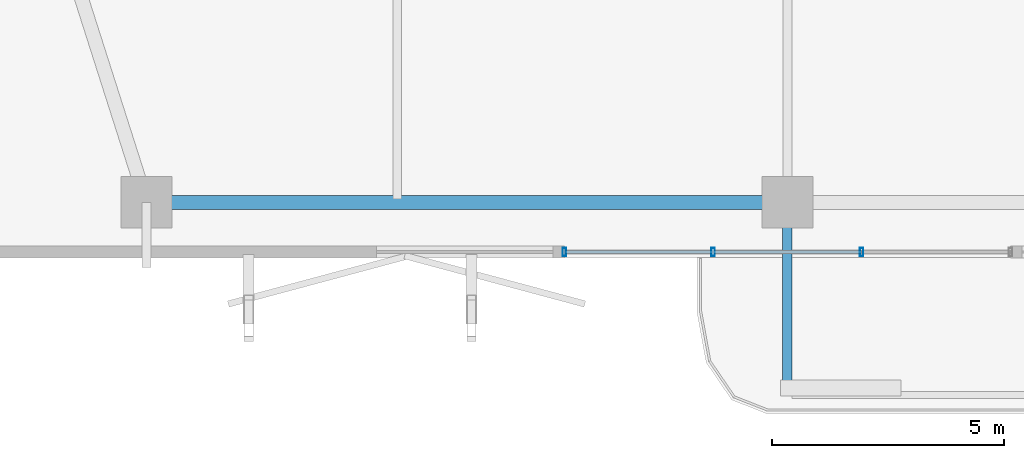
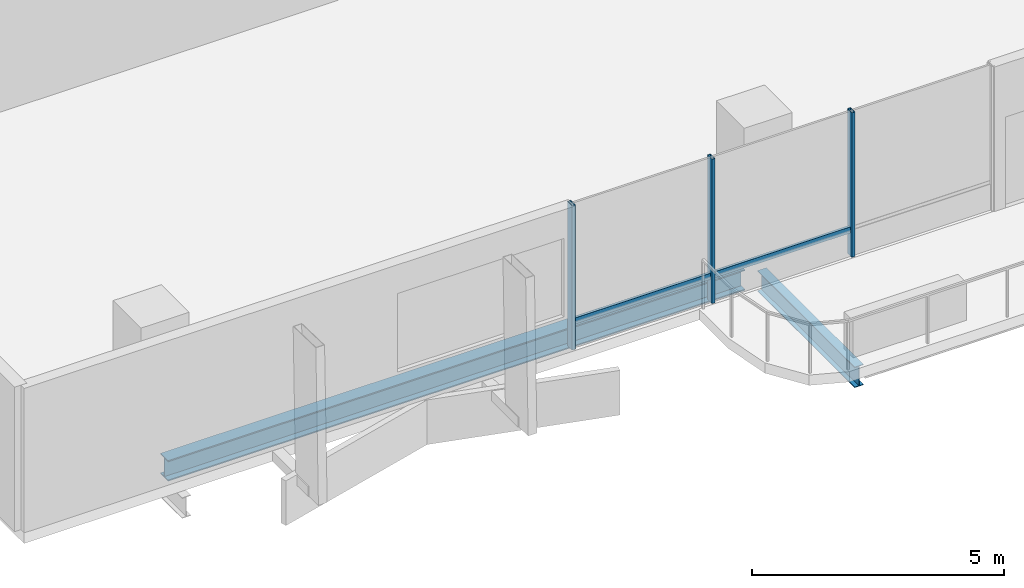
# One storey, part 2 of 23: 5 members, 2 beams, 1 element without a shape of its own.
"""IFC4 building model written with IfcOpenShell, lengths in metres."""

import ifcopenshell
import ifcopenshell.guid

model = None  # the IFC model being written
_history = None  # IfcOwnerHistory: only IFC2X3 demands one
_inside = {}  # id of a spatial element -> (the spatial element, [elements in it])
_under = {}  # id of a project, library or spatial element -> (it, [spatial elements below it])
_declared = {}  # id of a project -> (the project, [libraries it declares])
_typed = {}  # id of a type object -> (the type object, [elements of that type])
_made_of = {}  # id of a material, layer set ... -> (it, [elements and type objects made of it])


def new_model(schema):
    """Start an empty IFC model of exactly this schema.

    Asked for "IFC4X3", IfcOpenShell would pick the latest addendum, in which some entities
    have other attributes; the version numbers below select the first issue.
    IFC2X3 requires an IfcOwnerHistory on every rooted entity: one is made here for all.
    """
    global model, _history
    if schema == "IFC4X3":
        model = ifcopenshell.file(schema_version=(4, 3, 0, 0))
    else:
        model = ifcopenshell.file(schema=schema)
    _inside.clear()
    _under.clear()
    _declared.clear()
    _typed.clear()
    _made_of.clear()
    _history = None
    if model.schema == "IFC2X3":
        org = make("IfcOrganization", Name="unknown")
        user = make(
            "IfcPersonAndOrganization",
            ThePerson=make("IfcPerson", FamilyName="unknown"),
            TheOrganization=org,
        )
        app = make(
            "IfcApplication",
            ApplicationDeveloper=org,
            Version="unknown",
            ApplicationFullName="unknown",
            ApplicationIdentifier="unknown",
        )
        _history = make(
            "IfcOwnerHistory",
            OwningUser=user,
            OwningApplication=app,
            ChangeAction="ADDED",
            CreationDate=0,
        )
    return model


def make(cls, **values):
    """One entity of the class cls with the attributes given. An attribute that is None is left unset."""
    return model.create_entity(
        cls, **{name: value for name, value in values.items() if value is not None}
    )


def rooted(cls, **values):
    """An entity with a GlobalId (a new one), such as an element, a storey or a relation."""
    return make(cls, GlobalId=ifcopenshell.guid.new(), OwnerHistory=_history, **values)


def si_unit(unit_type, name, prefix=None):
    """IfcSIUnit, for example si_unit("LENGTHUNIT", "METRE", prefix="MILLI")."""
    return make("IfcSIUnit", UnitType=unit_type, Prefix=prefix, Name=name)


def assignment(units):
    """IfcUnitAssignment: the units of a project."""
    return None if units is None else make("IfcUnitAssignment", Units=units)


def point(xyz):
    """IfcCartesianPoint."""
    return None if xyz is None else make("IfcCartesianPoint", Coordinates=xyz)


def direction(xyz):
    """IfcDirection."""
    return None if xyz is None else make("IfcDirection", DirectionRatios=xyz)


def frame(location, z_axis=None, x_axis=None):
    """IfcAxis2Placement3D, a coordinate frame: its origin and axes. An axis left out is left unset."""
    return make(
        "IfcAxis2Placement3D",
        Location=point(location),
        Axis=direction(z_axis),
        RefDirection=direction(x_axis),
    )


def frame_2d(location, x_axis=None):
    """IfcAxis2Placement2D, a coordinate frame in the plane: its origin and x axis."""
    return make(
        "IfcAxis2Placement2D", Location=point(location), RefDirection=direction(x_axis)
    )


def origin():
    """The frame at (0, 0, 0) with its axes left unset."""
    return frame((0.0, 0.0, 0.0))


def origin_2d():
    """The frame at (0, 0) in the plane with its x axis left unset."""
    return frame_2d((0.0, 0.0))


def place(relative_to, where):
    """IfcLocalPlacement: puts the frame where relative to a parent placement (None: the world)."""
    return make(
        "IfcLocalPlacement", PlacementRelTo=relative_to, RelativePlacement=where
    )


def context(
    kind, dimensions, precision=None, world=None, true_north=None, identifier=None
):
    """IfcGeometricRepresentationContext, for example the 3D "Model" context."""
    return make(
        "IfcGeometricRepresentationContext",
        ContextIdentifier=identifier,
        ContextType=kind,
        CoordinateSpaceDimension=dimensions,
        Precision=precision,
        WorldCoordinateSystem=world,
        TrueNorth=true_north,
    )


def subcontext(parent, identifier, kind, view, scale=None):
    """IfcGeometricRepresentationSubContext, for example "Body" below "Model"."""
    return make(
        "IfcGeometricRepresentationSubContext",
        ContextIdentifier=identifier,
        ContextType=kind,
        ParentContext=parent,
        TargetScale=scale,
        TargetView=view,
    )


def project(units=None, contexts=None):
    """IfcProject with its units and contexts."""
    return rooted(
        "IfcProject",
        Name="project",
        RepresentationContexts=contexts,
        UnitsInContext=assignment(units),
    )


def spatial(cls, under=None, at=None, **own):
    """A site, building, storey or space (cls), placed at a placement, below another one or the project."""
    s = rooted(cls, ObjectPlacement=at, **own)
    if under is not None:
        _under.setdefault(under.id(), (under, []))[1].append(s)
    return s


def profile(cls, at=None, kind="AREA", **sizes):
    """A parametric profile (cls). Its sizes go by their IFC names, for example OverallWidth=200.0."""
    return make(cls, ProfileType=kind, Position=at, **sizes)


def hollow_rectangle(**sizes):
    """IfcRectangleHollowProfileDef."""
    return profile("IfcRectangleHollowProfileDef", **sizes)


def i_section(**sizes):
    """IfcIShapeProfileDef."""
    return profile("IfcIShapeProfileDef", **sizes)


def extrude(swept, where, along, depth):
    """IfcExtrudedAreaSolid: the profile swept, set in the frame where, extruded along a direction by depth."""
    return make(
        "IfcExtrudedAreaSolid",
        SweptArea=swept,
        Position=where,
        ExtrudedDirection=direction(along),
        Depth=depth,
    )


def shape(context_of_items, identifier, shape_type, items):
    """IfcShapeRepresentation: the items that make up one representation, for example the "Body"."""
    return make(
        "IfcShapeRepresentation",
        ContextOfItems=context_of_items,
        RepresentationIdentifier=identifier,
        RepresentationType=shape_type,
        Items=items,
    )


def material(Name=None, Category=None):
    """IfcMaterial."""
    return make("IfcMaterial", Name=Name, Category=Category)


def layer(
    of_material, thickness, ventilated=None, Name=None, Category=None, Priority=None
):
    """IfcMaterialLayer: one layer of a wall or slab, of a material (None: an air gap)."""
    return make(
        "IfcMaterialLayer",
        Material=of_material,
        LayerThickness=thickness,
        IsVentilated=ventilated,
        Name=Name,
        Category=Category,
        Priority=Priority,
    )


def layer_set(layers, Name=None):
    """IfcMaterialLayerSet."""
    return make("IfcMaterialLayerSet", MaterialLayers=layers, LayerSetName=Name)


def material_profile(
    of_material, cross_section, Name=None, Category=None, Priority=None
):
    """IfcMaterialProfile: a cross section and its material."""
    return make(
        "IfcMaterialProfile",
        Name=Name,
        Material=of_material,
        Profile=cross_section,
        Priority=Priority,
        Category=Category,
    )


def profile_set(profiles, Name=None, composite=None):
    """IfcMaterialProfileSet."""
    return make(
        "IfcMaterialProfileSet",
        Name=Name,
        MaterialProfiles=profiles,
        CompositeProfile=composite,
    )


def made_of(thing, what):
    """Note that an element or type object is made of a material, layer set ...; save() writes the relation."""
    if what is not None:
        _made_of.setdefault(what.id(), (what, []))[1].append(thing)
    return thing


def type_object(cls, material=None, **own):
    """A type object (cls), such as IfcWallType, which elements share."""
    return made_of(rooted(cls, **own), material)


def element(
    cls,
    number,
    at=None,
    inside=None,
    cuts=None,
    type_object=None,
    material=None,
    context=None,
    identifier="Body",
    shape_type=None,
    held_by="IfcProductDefinitionShape",
    body=None,
    shapes=None,
    **own,
):
    """One element of the class cls, such as IfcWall. Its Tag is "e" and its number.

    at: its placement. inside: the storey or other place that contains it. cuts: it is an
    opening in that element (IfcRelVoidsElement). A single representation is given by context,
    identifier, shape_type and body (its items); several are given by shapes. held_by: the class
    of the entity that holds the representations. save() writes the other relations.
    """
    e = rooted(cls, Tag="e%d" % number, ObjectPlacement=at, **own)
    if body is not None:
        shapes = [shape(context, identifier, shape_type, body)]
    if shapes is not None:
        e.Representation = make(held_by, Representations=shapes)
    if inside is not None:
        _inside.setdefault(inside.id(), (inside, []))[1].append(e)
    if cuts is not None:
        rooted(
            "IfcRelVoidsElement", RelatingBuildingElement=cuts, RelatedOpeningElement=e
        )
    if type_object is not None:
        _typed.setdefault(type_object.id(), (type_object, []))[1].append(e)
    return made_of(e, material)


def aggregate(whole, parts):
    """IfcRelAggregates: a whole, such as a stair, and the parts it consists of."""
    return rooted("IfcRelAggregates", RelatingObject=whole, RelatedObjects=parts)


def save(model, path):
    """Write the relations noted so far, then the file.

    IfcRelAggregates (storeys below a building ...), IfcRelContainedInSpatialStructure (elements
    in a storey), IfcRelDefinesByType, IfcRelAssociatesMaterial and IfcRelDeclares: one each for
    every whole, place, type object, material and project.
    """
    for whole, parts in _under.values():
        aggregate(whole, parts)
    for where, things in _inside.values():
        rooted(
            "IfcRelContainedInSpatialStructure",
            RelatedElements=things,
            RelatingStructure=where,
        )
    for kind, things in _typed.values():
        rooted("IfcRelDefinesByType", RelatedObjects=things, RelatingType=kind)
    for what, things in _made_of.values():
        rooted("IfcRelAssociatesMaterial", RelatedObjects=things, RelatingMaterial=what)
    for by, libraries in _declared.values():
        rooted("IfcRelDeclares", RelatingContext=by, RelatedDefinitions=libraries)
    model.write(path)


model = new_model("IFC4")

# Units and contexts
model_context = context("Model", 3, precision=1e-05, world=origin(), true_north=direction((0.0, 1.0)))
body_context = subcontext(model_context, "Body", "Model", "MODEL_VIEW")
ifc_project = project(units=[si_unit("LENGTHUNIT", "METRE"), si_unit("AREAUNIT", "SQUARE_METRE"), si_unit("VOLUMEUNIT", "CUBIC_METRE"), si_unit("PLANEANGLEUNIT", "RADIAN"), si_unit("MASSUNIT", "GRAM", prefix="KILO")], contexts=[model_context])

# Site, building, storey
site_placement = place(None, origin())
site = spatial("IfcSite", under=ifc_project, at=site_placement, CompositionType="ELEMENT")
building_placement = place(site_placement, origin())
building = spatial("IfcBuilding", under=site, at=building_placement, Name="Belovzor Exchange Tower", CompositionType="ELEMENT")
storey_placement = place(building_placement, frame((0.0, 0.0, 157.050048828125)))
storey = spatial("IfcBuildingStorey", under=building, at=storey_placement, Name="L38", CompositionType="ELEMENT", Elevation=157.050048828125)

# Beam
ifc_material_1 = material(Name="Steel S355", Category="steel")
ifc_material_profile_1 = material_profile(ifc_material_1, i_section(OverallWidth=0.199951171875, OverallDepth=0.5, WebThickness=0.01025390625, FlangeThickness=0.01611328125, at=origin_2d()))
ifc_profile_set_1 = profile_set([ifc_material_profile_1], Name="Steel S355")
beam_type_1 = type_object("IfcBeamType", Name="Planted Balcony Cantilever Beam IPE 500", PredefinedType="BEAM", material=ifc_profile_set_1)
beam_1_placement = place(storey_placement, frame((28.800048828125, 5.39697265625, -0.505126953125), z_axis=(0.0, -1.0, 0.0), x_axis=(1.0, 0.0, 0.0)))
element("IfcBeam", 1, at=beam_1_placement, inside=storey, type_object=beam_type_1, Name="BC-500 Planted Balcony Cantilever Beam IPE 500", PredefinedType="BEAM", context=body_context, shape_type="SweptSolid", body=[
    extrude(i_section(OverallWidth=0.199951171875, OverallDepth=0.5, WebThickness=0.01025390625, FlangeThickness=0.01611328125, at=origin_2d()), origin(), (0.0, 0.0, 1.0), 3.849853515625),
])

# Curtain wall, members
ifc_material_2 = material(Name="Anodised Aluminium Framing", Category="aluminium")
ifc_layer = layer(ifc_material_2, 0.179931640625)
ifc_layer_set = layer_set([ifc_layer], Name="Anodised Aluminium Framing")
curtain_wall_type = type_object("IfcCurtainWallType", Name="Recessed Loggia Low-Iron Triple-Glazed Curtain Wall", PredefinedType="NOTDEFINED", material=ifc_layer_set)
curtain_wall_placement = place(storey_placement, origin())
curtain_wall = element("IfcCurtainWall", 2, at=curtain_wall_placement, inside=storey, type_object=curtain_wall_type, Name="CW3 Recessed Loggia Low-Iron Triple-Glazed Curtain Wall L38", PredefinedType="NOTDEFINED")
ifc_material_3 = material(Name="Steel S355", Category="steel")
ifc_material_profile_2 = material_profile(ifc_material_3, hollow_rectangle(XDim=0.074951171875, YDim=0.179931640625, WallThickness=0.0048828125, at=origin_2d()))
ifc_profile_set_2 = profile_set([ifc_material_profile_2], Name="Steel S355")
member_type_1 = type_object("IfcMemberType", Name="Thermally Broken Curtain Wall Mullion 180x75", PredefinedType="MULLION", material=ifc_profile_set_2)
member_1_placement = place(storey_placement, frame((30.39990234375, 4.6298828125, 0.0), z_axis=(0.0, 0.0, 1.0), x_axis=(-1.0, 0.0, 0.0)))
member_1 = element("IfcMember", 3, at=member_1_placement, type_object=member_type_1, Name="CW-M180 Curtain Wall Mullion 2", PredefinedType="MULLION", context=body_context, shape_type="SweptSolid", body=[
    extrude(hollow_rectangle(XDim=0.074951171875, YDim=0.179931640625, WallThickness=0.0048828125, at=origin_2d()), origin(), (0.0, 0.0, 1.0), 3.494873046875),
])
member_2_placement = place(storey_placement, frame((27.199951171875, 4.6298828125, 0.0), z_axis=(0.0, 0.0, 1.0), x_axis=(-1.0, 0.0, 0.0)))
member_2 = element("IfcMember", 4, at=member_2_placement, type_object=member_type_1, Name="CW-M180 Curtain Wall Mullion 3", PredefinedType="MULLION", context=body_context, shape_type="SweptSolid", body=[
    extrude(hollow_rectangle(XDim=0.074951171875, YDim=0.179931640625, WallThickness=0.0048828125, at=origin_2d()), origin(), (0.0, 0.0, 1.0), 3.494873046875),
])
member_3_placement = place(storey_placement, frame((24.0, 4.6298828125, 0.0), z_axis=(0.0, 0.0, 1.0), x_axis=(-1.0, 0.0, 0.0)))
member_3 = element("IfcMember", 5, at=member_3_placement, type_object=member_type_1, Name="CW-M180 Curtain Wall Mullion 4", PredefinedType="MULLION", context=body_context, shape_type="SweptSolid", body=[
    extrude(hollow_rectangle(XDim=0.074951171875, YDim=0.179931640625, WallThickness=0.0048828125, at=origin_2d()), origin(), (0.0, 0.0, 1.0), 3.494873046875),
])
ifc_material_4 = material(Name="Steel S355", Category="steel")
ifc_material_profile_3 = material_profile(ifc_material_4, hollow_rectangle(XDim=0.06005859375, YDim=0.14990234375, WallThickness=0.00390625, at=origin_2d()))
ifc_profile_set_3 = profile_set([ifc_material_profile_3], Name="Steel S355")
member_type_2 = type_object("IfcMemberType", Name="Thermally Broken Curtain Wall Transom 150x60", PredefinedType="USERDEFINED", material=ifc_profile_set_3)
member_4_placement = place(storey_placement, frame((30.39208984375, 4.6298828125, 0.62890625), z_axis=(-1.0, 0.0, 0.0), x_axis=(0.0, -1.0, 0.0)))
member_4 = element("IfcMember", 6, at=member_4_placement, type_object=member_type_2, Name="CW-T150 Curtain Wall Transom 2", ObjectType="TRANSOM", PredefinedType="USERDEFINED", context=body_context, shape_type="SweptSolid", body=[
    extrude(hollow_rectangle(XDim=0.06005859375, YDim=0.14990234375, WallThickness=0.00390625, at=origin_2d()), origin(), (0.0, 0.0, 1.0), 3.18408203125),
])
member_5_placement = place(storey_placement, frame((27.19189453125, 4.6298828125, 0.62890625), z_axis=(-1.0, 0.0, 0.0), x_axis=(0.0, -1.0, 0.0)))
member_5 = element("IfcMember", 7, at=member_5_placement, type_object=member_type_2, Name="CW-T150 Curtain Wall Transom 3", ObjectType="TRANSOM", PredefinedType="USERDEFINED", context=body_context, shape_type="SweptSolid", body=[
    extrude(hollow_rectangle(XDim=0.06005859375, YDim=0.14990234375, WallThickness=0.00390625, at=origin_2d()), origin(), (0.0, 0.0, 1.0), 3.183837890625),
])
aggregate(curtain_wall, [member_1, member_2, member_3, member_4, member_5])

# Beam
ifc_material_5 = material(Name="Steel S355", Category="steel")
ifc_material_profile_4 = material_profile(ifc_material_5, i_section(OverallWidth=0.300048828125, OverallDepth=0.5, WebThickness=0.014404296875, FlangeThickness=0.028076171875, at=origin_2d()))
ifc_profile_set_4 = profile_set([ifc_material_profile_4], Name="Steel S355")
beam_type_2 = type_object("IfcBeamType", Name="Zone 3 Waist Primary Girder HEB 500", PredefinedType="BEAM", material=ifc_profile_set_4)
beam_2_placement = place(storey_placement, frame((15.302978515625, 5.699951171875, -0.505126953125), z_axis=(1.0, 0.0, 0.0), x_axis=(0.0, 1.0, 0.0)))
element("IfcBeam", 8, at=beam_2_placement, inside=storey, type_object=beam_type_2, Name="FG-Z3 Zone 3 Waist Primary Girder HEB 500", PredefinedType="BEAM", context=body_context, shape_type="SweptSolid", body=[
    extrude(i_section(OverallWidth=0.300048828125, OverallDepth=0.5, WebThickness=0.014404296875, FlangeThickness=0.028076171875, at=origin_2d()), origin(), (0.0, 0.0, 1.0), 13.195068359375),
])

save(model, "model.ifc")
